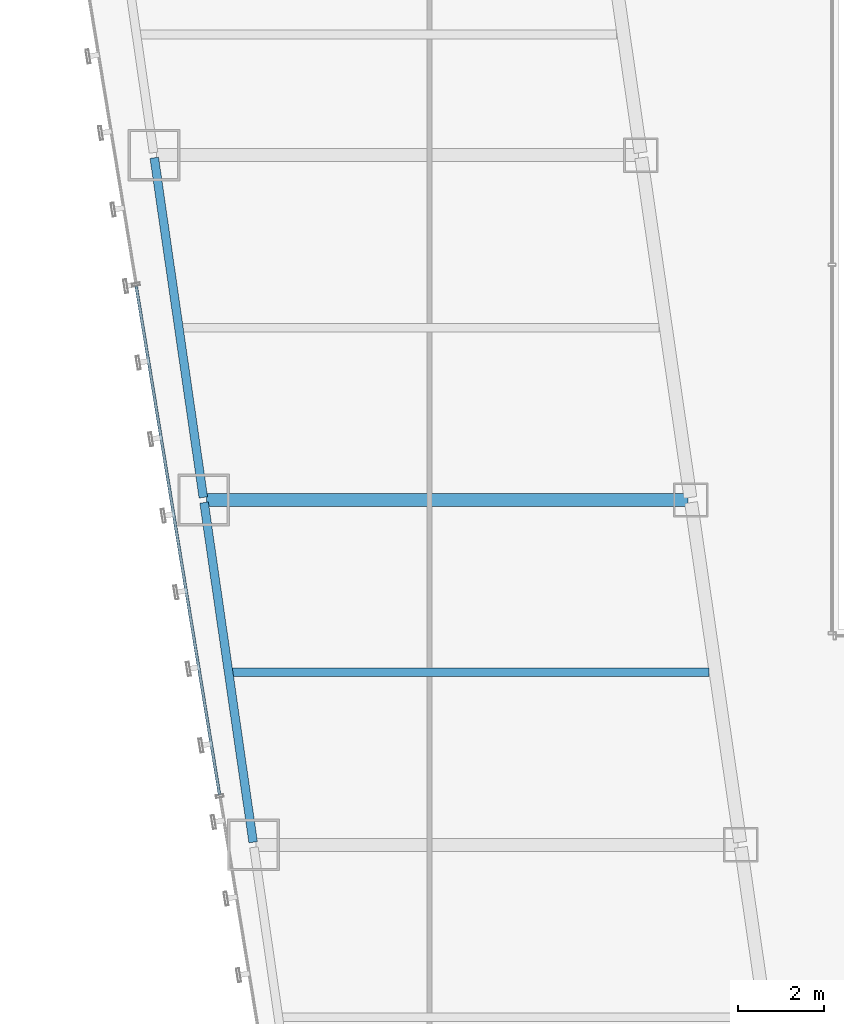
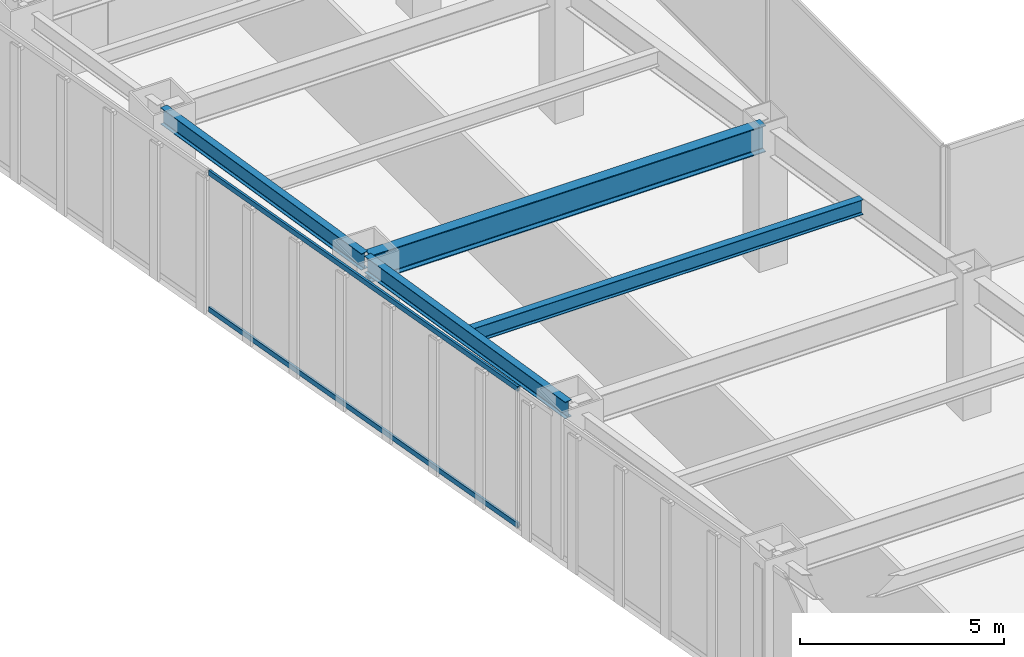
# One storey, part 10 of 47: 4 beams, 2 members, 1 element without a shape of its own.
"""IFC4 building model written with IfcOpenShell, lengths in metres."""

from ifc_helpers import new_model, si_unit, direction, frame, origin, origin_2d, place, context, subcontext, project, spatial, hollow_rectangle, i_section, extrude, material, material_profile, profile_set, type_object, element, aggregate, save


model = new_model("IFC4")

# Units and contexts
model_context = context("Model", 3, precision=1e-05, world=origin(), true_north=direction((0.0, 1.0)))
body_context = subcontext(model_context, "Body", "Model", "MODEL_VIEW")
ifc_project = project(units=[si_unit("LENGTHUNIT", "METRE"), si_unit("AREAUNIT", "SQUARE_METRE"), si_unit("VOLUMEUNIT", "CUBIC_METRE"), si_unit("PLANEANGLEUNIT", "RADIAN"), si_unit("MASSUNIT", "GRAM", prefix="KILO")], contexts=[model_context])

# Site, building, storey
site_placement = place(None, origin())
site = spatial("IfcSite", under=ifc_project, at=site_placement, CompositionType="ELEMENT")
building_placement = place(site_placement, origin())
building = spatial("IfcBuilding", under=site, at=building_placement, Name="Saevonmaru Cultural Tower", CompositionType="ELEMENT")
storey_placement = place(building_placement, frame((0.0, 0.0, 60.39990234375)))
storey = spatial("IfcBuildingStorey", under=building, at=storey_placement, Name="L12", CompositionType="ELEMENT", Elevation=60.39990234375)

# Beams
ifc_material_1 = material(Name="Steel SM420", Category="steel")
ifc_material_profile_1 = material_profile(ifc_material_1, i_section(OverallWidth=0.300048828125, OverallDepth=0.800048828125, WebThickness=0.013916015625, FlangeThickness=0.02587890625, FilletRadius=0.028076171875, at=origin_2d()), Name="H-800x300x14x26")
ifc_profile_set_1 = profile_set([ifc_material_profile_1], Name="Steel SM420")
beam_type_1 = type_object("IfcBeamType", Name="BM-G-H800", PredefinedType="BEAM", material=ifc_profile_set_1)
beam_1_placement = place(storey_placement, frame((9.531982421875, 24.0, 3.75), z_axis=(1.0, 0.0, 0.0), x_axis=(0.0, 1.0, 0.0)))
element("IfcBeam", 1, at=beam_1_placement, inside=storey, type_object=beam_type_1, Name="L12 West Wing Transverse Girder 4", PredefinedType="BEAM", context=body_context, shape_type="SweptSolid", body=[
    extrude(i_section(OverallWidth=0.300048828125, OverallDepth=0.800048828125, WebThickness=0.013916015625, FlangeThickness=0.02587890625, FilletRadius=0.028076171875, at=origin_2d()), origin(), (0.0, 0.0, 1.0), 11.179931640625),
])
ifc_material_2 = material(Name="Steel SM355", Category="steel")
ifc_material_profile_2 = material_profile(ifc_material_2, i_section(OverallWidth=0.199951171875, OverallDepth=0.449951171875, WebThickness=0.009033203125, FlangeThickness=0.013916015625, FilletRadius=0.01806640625, at=origin_2d()), Name="H-450x200x9x14")
ifc_profile_set_2 = profile_set([ifc_material_profile_2], Name="Steel SM355")
beam_type_2 = type_object("IfcBeamType", Name="BM-J-H450", PredefinedType="JOIST", material=ifc_profile_set_2)
beam_2_placement = place(storey_placement, frame((10.110107421875, 20.0, 3.925048828125), z_axis=(1.0, 0.0, 0.0), x_axis=(0.0, 1.0, 0.0)))
element("IfcBeam", 2, at=beam_2_placement, inside=storey, type_object=beam_type_2, Name="L12 West Wing Floor Joist 3", PredefinedType="JOIST", context=body_context, shape_type="SweptSolid", body=[
    extrude(i_section(OverallWidth=0.199951171875, OverallDepth=0.449951171875, WebThickness=0.009033203125, FlangeThickness=0.013916015625, FilletRadius=0.01806640625, at=origin_2d()), origin(), (0.0, 0.0, 1.0), 11.081787109375),
])
ifc_material_profile_3 = material_profile(ifc_material_2, i_section(OverallWidth=0.199951171875, OverallDepth=0.5, WebThickness=0.010009765625, FlangeThickness=0.01611328125, FilletRadius=0.02001953125, at=origin_2d()), Name="H-500x200x10x16")
ifc_profile_set_3 = profile_set([ifc_material_profile_3], Name="Steel SM355")
beam_type_3 = type_object("IfcBeamType", Name="BM-SP-H500", PredefinedType="SPANDREL", material=ifc_profile_set_3)
for number, where, z_axis, x_axis, name in (
    (3, (10.619384765625, 16.059326171875, 3.900146484375), (-0.142992129437, 0.989723825579, 0.0), (-0.989723825579, -0.142992129437, 0.0), "L12 West Splayed Spandrel 3"),
    (4, (9.46337890625, 24.059326171875, 3.900146484375), (-0.142871999001, 0.989741174197, 0.0), (-0.989741174197, -0.142871999001, 0.0), "L12 West Splayed Spandrel 4"),
):
    element("IfcBeam", number, at=place(storey_placement, frame(where, z_axis=z_axis, x_axis=x_axis)), inside=storey, type_object=beam_type_3, Name=name, PredefinedType="SPANDREL", context=body_context, shape_type="SweptSolid", body=[
        extrude(i_section(OverallWidth=0.199951171875, OverallDepth=0.5, WebThickness=0.010009765625, FlangeThickness=0.01611328125, FilletRadius=0.02001953125, at=origin_2d()), origin(), (0.0, 0.0, 1.0), 7.963134765625),
    ])

# Curtain wall, members
ifc_material_3 = material(Name="Satin Bronze Anodised Aluminium", Category="aluminium")
curtain_wall_type = type_object("IfcCurtainWallType", Name="CW-TYP-A", PredefinedType="NOTDEFINED", material=ifc_material_3)
curtain_wall_placement = place(storey_placement, origin())
curtain_wall = element("IfcCurtainWall", 5, at=curtain_wall_placement, inside=storey, type_object=curtain_wall_type, Name="L12 Unitised Curtain Wall E12", PredefinedType="NOTDEFINED")
ifc_material_profile_4 = material_profile(ifc_material_3, hollow_rectangle(XDim=0.06494140625, YDim=0.14990234375, WallThickness=0.00390625, at=origin_2d()), Name="ALU-TRAN-150x65x4")
ifc_profile_set_4 = profile_set([ifc_material_profile_4], Name="Satin Bronze Anodised Aluminium")
member_type = type_object("IfcMemberType", Name="TR-CW-150x65", PredefinedType="USERDEFINED", material=ifc_profile_set_4)
member_1_placement = place(storey_placement, frame((7.9052734375, 28.968017578125, 0.03271484375), z_axis=(0.161701400727, -0.986839732177, 0.0), x_axis=(0.986839732177, 0.161701400727, 0.0)))
member_1 = element("IfcMember", 6, at=member_1_placement, type_object=member_type, Name="CW-TW-L12-E12 transom 3.1", ObjectType="TRANSOM", PredefinedType="USERDEFINED", context=body_context, shape_type="SweptSolid", body=[
    extrude(hollow_rectangle(XDim=0.06494140625, YDim=0.14990234375, WallThickness=0.00390625, at=origin_2d()), origin(), (0.0, 0.0, 1.0), 11.9638671875),
])
member_2_placement = place(storey_placement, frame((7.9052734375, 28.968017578125, 4.11767578125), z_axis=(0.161701400727, -0.986839732177, 0.0), x_axis=(0.986839732177, 0.161701400727, 0.0)))
member_2 = element("IfcMember", 7, at=member_2_placement, type_object=member_type, Name="CW-TW-L12-E12 transom 3.2", ObjectType="TRANSOM", PredefinedType="USERDEFINED", context=body_context, shape_type="SweptSolid", body=[
    extrude(hollow_rectangle(XDim=0.06494140625, YDim=0.14990234375, WallThickness=0.00390625, at=origin_2d()), origin(), (0.0, 0.0, 1.0), 11.9638671875),
])
aggregate(curtain_wall, [member_1, member_2])

save(model, "model.ifc")
